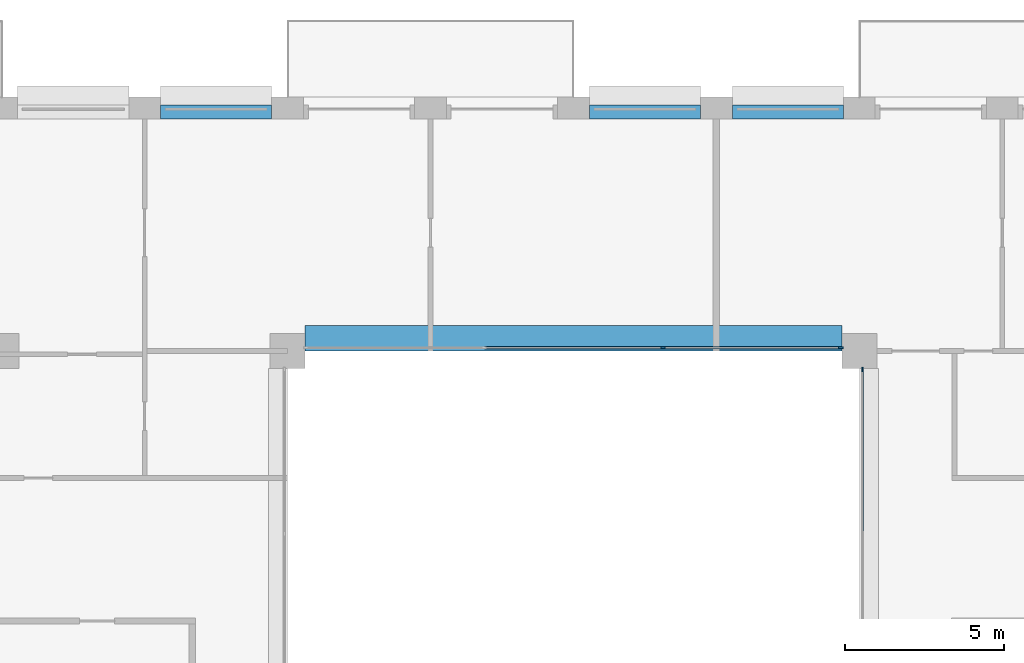
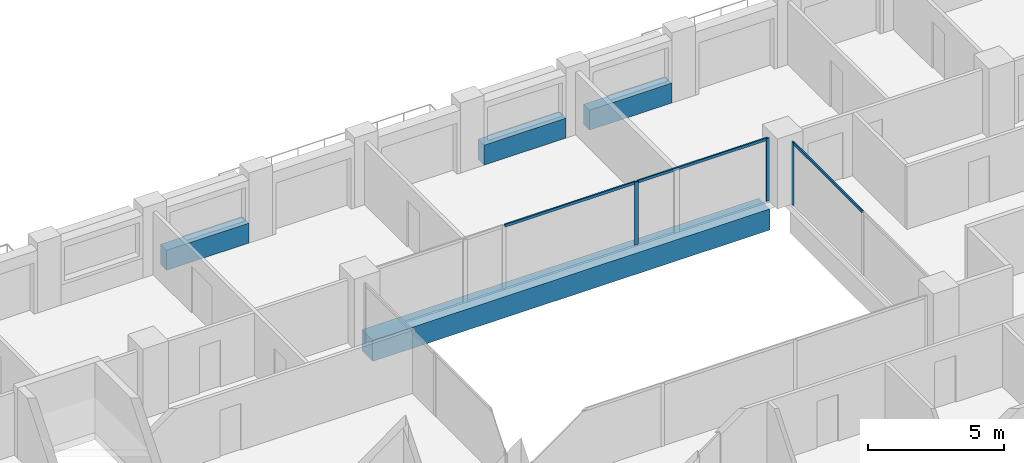
# One storey, part 6 of 15: 6 members, 4 beams, 2 elements without a shape of their own.
"""IFC4 building model written with IfcOpenShell, lengths in metres."""

import ifcopenshell
import ifcopenshell.guid

model = None  # the IFC model being written
_history = None  # IfcOwnerHistory: only IFC2X3 demands one
_inside = {}  # id of a spatial element -> (the spatial element, [elements in it])
_under = {}  # id of a project, library or spatial element -> (it, [spatial elements below it])
_declared = {}  # id of a project -> (the project, [libraries it declares])
_typed = {}  # id of a type object -> (the type object, [elements of that type])
_made_of = {}  # id of a material, layer set ... -> (it, [elements and type objects made of it])


def new_model(schema):
    """Start an empty IFC model of exactly this schema.

    Asked for "IFC4X3", IfcOpenShell would pick the latest addendum, in which some entities
    have other attributes; the version numbers below select the first issue.
    IFC2X3 requires an IfcOwnerHistory on every rooted entity: one is made here for all.
    """
    global model, _history
    if schema == "IFC4X3":
        model = ifcopenshell.file(schema_version=(4, 3, 0, 0))
    else:
        model = ifcopenshell.file(schema=schema)
    _inside.clear()
    _under.clear()
    _declared.clear()
    _typed.clear()
    _made_of.clear()
    _history = None
    if model.schema == "IFC2X3":
        org = make("IfcOrganization", Name="unknown")
        user = make(
            "IfcPersonAndOrganization",
            ThePerson=make("IfcPerson", FamilyName="unknown"),
            TheOrganization=org,
        )
        app = make(
            "IfcApplication",
            ApplicationDeveloper=org,
            Version="unknown",
            ApplicationFullName="unknown",
            ApplicationIdentifier="unknown",
        )
        _history = make(
            "IfcOwnerHistory",
            OwningUser=user,
            OwningApplication=app,
            ChangeAction="ADDED",
            CreationDate=0,
        )
    return model


def make(cls, **values):
    """One entity of the class cls with the attributes given. An attribute that is None is left unset."""
    return model.create_entity(
        cls, **{name: value for name, value in values.items() if value is not None}
    )


def rooted(cls, **values):
    """An entity with a GlobalId (a new one), such as an element, a storey or a relation."""
    return make(cls, GlobalId=ifcopenshell.guid.new(), OwnerHistory=_history, **values)


def si_unit(unit_type, name, prefix=None):
    """IfcSIUnit, for example si_unit("LENGTHUNIT", "METRE", prefix="MILLI")."""
    return make("IfcSIUnit", UnitType=unit_type, Prefix=prefix, Name=name)


def assignment(units):
    """IfcUnitAssignment: the units of a project."""
    return None if units is None else make("IfcUnitAssignment", Units=units)


def point(xyz):
    """IfcCartesianPoint."""
    return None if xyz is None else make("IfcCartesianPoint", Coordinates=xyz)


def direction(xyz):
    """IfcDirection."""
    return None if xyz is None else make("IfcDirection", DirectionRatios=xyz)


def frame(location, z_axis=None, x_axis=None):
    """IfcAxis2Placement3D, a coordinate frame: its origin and axes. An axis left out is left unset."""
    return make(
        "IfcAxis2Placement3D",
        Location=point(location),
        Axis=direction(z_axis),
        RefDirection=direction(x_axis),
    )


def frame_2d(location, x_axis=None):
    """IfcAxis2Placement2D, a coordinate frame in the plane: its origin and x axis."""
    return make(
        "IfcAxis2Placement2D", Location=point(location), RefDirection=direction(x_axis)
    )


def origin():
    """The frame at (0, 0, 0) with its axes left unset."""
    return frame((0.0, 0.0, 0.0))


def origin_2d():
    """The frame at (0, 0) in the plane with its x axis left unset."""
    return frame_2d((0.0, 0.0))


def place(relative_to, where):
    """IfcLocalPlacement: puts the frame where relative to a parent placement (None: the world)."""
    return make(
        "IfcLocalPlacement", PlacementRelTo=relative_to, RelativePlacement=where
    )


def context(
    kind, dimensions, precision=None, world=None, true_north=None, identifier=None
):
    """IfcGeometricRepresentationContext, for example the 3D "Model" context."""
    return make(
        "IfcGeometricRepresentationContext",
        ContextIdentifier=identifier,
        ContextType=kind,
        CoordinateSpaceDimension=dimensions,
        Precision=precision,
        WorldCoordinateSystem=world,
        TrueNorth=true_north,
    )


def subcontext(parent, identifier, kind, view, scale=None):
    """IfcGeometricRepresentationSubContext, for example "Body" below "Model"."""
    return make(
        "IfcGeometricRepresentationSubContext",
        ContextIdentifier=identifier,
        ContextType=kind,
        ParentContext=parent,
        TargetScale=scale,
        TargetView=view,
    )


def project(units=None, contexts=None):
    """IfcProject with its units and contexts."""
    return rooted(
        "IfcProject",
        Name="project",
        RepresentationContexts=contexts,
        UnitsInContext=assignment(units),
    )


def spatial(cls, under=None, at=None, **own):
    """A site, building, storey or space (cls), placed at a placement, below another one or the project."""
    s = rooted(cls, ObjectPlacement=at, **own)
    if under is not None:
        _under.setdefault(under.id(), (under, []))[1].append(s)
    return s


def profile(cls, at=None, kind="AREA", **sizes):
    """A parametric profile (cls). Its sizes go by their IFC names, for example OverallWidth=200.0."""
    return make(cls, ProfileType=kind, Position=at, **sizes)


def rectangle(**sizes):
    """IfcRectangleProfileDef."""
    return profile("IfcRectangleProfileDef", **sizes)


def extrude(swept, where, along, depth):
    """IfcExtrudedAreaSolid: the profile swept, set in the frame where, extruded along a direction by depth."""
    return make(
        "IfcExtrudedAreaSolid",
        SweptArea=swept,
        Position=where,
        ExtrudedDirection=direction(along),
        Depth=depth,
    )


def shape(context_of_items, identifier, shape_type, items):
    """IfcShapeRepresentation: the items that make up one representation, for example the "Body"."""
    return make(
        "IfcShapeRepresentation",
        ContextOfItems=context_of_items,
        RepresentationIdentifier=identifier,
        RepresentationType=shape_type,
        Items=items,
    )


def material(Name=None, Category=None):
    """IfcMaterial."""
    return make("IfcMaterial", Name=Name, Category=Category)


def layer(
    of_material, thickness, ventilated=None, Name=None, Category=None, Priority=None
):
    """IfcMaterialLayer: one layer of a wall or slab, of a material (None: an air gap)."""
    return make(
        "IfcMaterialLayer",
        Material=of_material,
        LayerThickness=thickness,
        IsVentilated=ventilated,
        Name=Name,
        Category=Category,
        Priority=Priority,
    )


def layer_set(layers, Name=None):
    """IfcMaterialLayerSet."""
    return make("IfcMaterialLayerSet", MaterialLayers=layers, LayerSetName=Name)


def material_profile(
    of_material, cross_section, Name=None, Category=None, Priority=None
):
    """IfcMaterialProfile: a cross section and its material."""
    return make(
        "IfcMaterialProfile",
        Name=Name,
        Material=of_material,
        Profile=cross_section,
        Priority=Priority,
        Category=Category,
    )


def profile_set(profiles, Name=None, composite=None):
    """IfcMaterialProfileSet."""
    return make(
        "IfcMaterialProfileSet",
        Name=Name,
        MaterialProfiles=profiles,
        CompositeProfile=composite,
    )


def made_of(thing, what):
    """Note that an element or type object is made of a material, layer set ...; save() writes the relation."""
    if what is not None:
        _made_of.setdefault(what.id(), (what, []))[1].append(thing)
    return thing


def type_object(cls, material=None, **own):
    """A type object (cls), such as IfcWallType, which elements share."""
    return made_of(rooted(cls, **own), material)


def element(
    cls,
    number,
    at=None,
    inside=None,
    cuts=None,
    type_object=None,
    material=None,
    context=None,
    identifier="Body",
    shape_type=None,
    held_by="IfcProductDefinitionShape",
    body=None,
    shapes=None,
    **own,
):
    """One element of the class cls, such as IfcWall. Its Tag is "e" and its number.

    at: its placement. inside: the storey or other place that contains it. cuts: it is an
    opening in that element (IfcRelVoidsElement). A single representation is given by context,
    identifier, shape_type and body (its items); several are given by shapes. held_by: the class
    of the entity that holds the representations. save() writes the other relations.
    """
    e = rooted(cls, Tag="e%d" % number, ObjectPlacement=at, **own)
    if body is not None:
        shapes = [shape(context, identifier, shape_type, body)]
    if shapes is not None:
        e.Representation = make(held_by, Representations=shapes)
    if inside is not None:
        _inside.setdefault(inside.id(), (inside, []))[1].append(e)
    if cuts is not None:
        rooted(
            "IfcRelVoidsElement", RelatingBuildingElement=cuts, RelatedOpeningElement=e
        )
    if type_object is not None:
        _typed.setdefault(type_object.id(), (type_object, []))[1].append(e)
    return made_of(e, material)


def aggregate(whole, parts):
    """IfcRelAggregates: a whole, such as a stair, and the parts it consists of."""
    return rooted("IfcRelAggregates", RelatingObject=whole, RelatedObjects=parts)


def save(model, path):
    """Write the relations noted so far, then the file.

    IfcRelAggregates (storeys below a building ...), IfcRelContainedInSpatialStructure (elements
    in a storey), IfcRelDefinesByType, IfcRelAssociatesMaterial and IfcRelDeclares: one each for
    every whole, place, type object, material and project.
    """
    for whole, parts in _under.values():
        aggregate(whole, parts)
    for where, things in _inside.values():
        rooted(
            "IfcRelContainedInSpatialStructure",
            RelatedElements=things,
            RelatingStructure=where,
        )
    for kind, things in _typed.values():
        rooted("IfcRelDefinesByType", RelatedObjects=things, RelatingType=kind)
    for what, things in _made_of.values():
        rooted("IfcRelAssociatesMaterial", RelatedObjects=things, RelatingMaterial=what)
    for by, libraries in _declared.values():
        rooted("IfcRelDeclares", RelatingContext=by, RelatedDefinitions=libraries)
    model.write(path)


model = new_model("IFC4")

# Units and contexts
model_context = context("Model", 3, precision=1e-05, world=origin(), true_north=direction((0.0, 1.0)))
body_context = subcontext(model_context, "Body", "Model", "MODEL_VIEW")
ifc_project = project(units=[si_unit("LENGTHUNIT", "METRE"), si_unit("AREAUNIT", "SQUARE_METRE"), si_unit("VOLUMEUNIT", "CUBIC_METRE"), si_unit("PLANEANGLEUNIT", "RADIAN"), si_unit("MASSUNIT", "GRAM", prefix="KILO")], contexts=[model_context])

# Site, building, storey
site_placement = place(None, origin())
site = spatial("IfcSite", under=ifc_project, at=site_placement, CompositionType="ELEMENT")
building_placement = place(site_placement, origin())
building = spatial("IfcBuilding", under=site, at=building_placement, Name="Brigalow Station Residences", CompositionType="ELEMENT")
storey_placement = place(building_placement, frame((0.0, 0.0, 153.89990234375)))
storey = spatial("IfcBuildingStorey", under=building, at=storey_placement, Name="L44", CompositionType="ELEMENT", Elevation=153.89990234375)

# Beam
ifc_material_1 = material(Name="Concrete C65", Category="concrete")
ifc_material_profile_1 = material_profile(ifc_material_1, rectangle(XDim=0.800048828125, YDim=0.949951171875, at=origin_2d()), Name="RC800x950")
ifc_profile_set_1 = profile_set([ifc_material_profile_1], Name="Concrete C65")
beam_type_1 = type_object("IfcBeamType", Name="ATRIUM EDGE GIRDER OVER 13.5 M SPAN 800x950 C65", PredefinedType="BEAM", material=ifc_profile_set_1)
beam_placement = place(storey_placement, frame((27.550048828125, 35.89990234375, -0.794921875), z_axis=(1.0, 0.0, 0.0), x_axis=(0.0, 1.0, 0.0)))
element("IfcBeam", 1, at=beam_placement, inside=storey, type_object=beam_type_1, Name="ATRIUM EDGE GIRDER D L44", PredefinedType="BEAM", context=body_context, shape_type="SweptSolid", body=[
    extrude(rectangle(XDim=0.800048828125, YDim=0.949951171875, at=origin_2d()), origin(), (0.0, 0.0, 1.0), 16.89990234375),
])

# Curtain wall, member
ifc_material_2 = material(Name="Aluminium", Category="aluminium")
ifc_layer = layer(ifc_material_2, 0.14990234375)
ifc_layer_set = layer_set([ifc_layer], Name="ATRIUM FIRE-RATED GLAZING CURTAIN WALL")
curtain_wall_type = type_object("IfcCurtainWallType", Name="ATRIUM FIRE-RATED GLAZING CURTAIN WALL", PredefinedType="NOTDEFINED", material=ifc_layer_set)
curtain_wall_1_placement = place(storey_placement, origin())
curtain_wall_1 = element("IfcCurtainWall", 2, at=curtain_wall_1_placement, inside=storey, type_object=curtain_wall_type, Name="L44/cw/atrium-E", PredefinedType="NOTDEFINED")
ifc_material_3 = material(Name="Aluminium", Category="aluminium")
ifc_material_profile_2 = material_profile(ifc_material_3, rectangle(XDim=0.06005859375, YDim=0.14990234375, at=origin_2d()), Name="ATRIUM FIRE-RATED GLAZING MULLION 60x150")
ifc_profile_set_2 = profile_set([ifc_material_profile_2], Name="Aluminium")
member_type_1 = type_object("IfcMemberType", Name="ATRIUM FIRE-RATED GLAZING MULLION 60x150", PredefinedType="MULLION", material=ifc_profile_set_2)
member_1_placement = place(storey_placement, frame((45.10009765625, 34.919921875, 0.0), z_axis=(0.0, 0.0, 1.0), x_axis=(-1.0, 0.0, 0.0)))
member_1 = element("IfcMember", 3, at=member_1_placement, type_object=member_type_1, Name="L44/cw/atrium-E/M02", PredefinedType="MULLION", context=body_context, shape_type="SweptSolid", body=[
    extrude(rectangle(XDim=0.06005859375, YDim=0.14990234375, at=origin_2d()), origin(), (0.0, 0.0, 1.0), 2.830078125),
])

# Curtain wall, members
curtain_wall_2_placement = place(storey_placement, origin())
curtain_wall_2 = element("IfcCurtainWall", 4, at=curtain_wall_2_placement, inside=storey, type_object=curtain_wall_type, Name="L44/cw/atrium-N", PredefinedType="NOTDEFINED")
member_2_placement = place(storey_placement, frame((44.419921875, 35.60009765625, 0.0), z_axis=(0.0, 0.0, 1.0), x_axis=(0.0, -1.0, 0.0)))
member_2 = element("IfcMember", 5, at=member_2_placement, type_object=member_type_1, Name="L44/cw/atrium-N/M00", PredefinedType="MULLION", context=body_context, shape_type="SweptSolid", body=[
    extrude(rectangle(XDim=0.06005859375, YDim=0.14990234375, at=origin_2d()), origin(), (0.0, 0.0, 1.0), 2.830078125),
])
member_3_placement = place(storey_placement, frame((38.816650390625, 35.60009765625, 0.0), z_axis=(0.0, 0.0, 1.0), x_axis=(0.0, -1.0, 0.0)))
member_3 = element("IfcMember", 6, at=member_3_placement, type_object=member_type_1, Name="L44/cw/atrium-N/M01", PredefinedType="MULLION", context=body_context, shape_type="SweptSolid", body=[
    extrude(rectangle(XDim=0.06005859375, YDim=0.14990234375, at=origin_2d()), origin(), (0.0, 0.0, 1.0), 2.830078125),
])

# Member
ifc_material_4 = material(Name="Aluminium", Category="aluminium")
ifc_material_profile_3 = material_profile(ifc_material_4, rectangle(XDim=0.06005859375, YDim=0.1201171875, at=origin_2d()), Name="ATRIUM FIRE-RATED GLAZING TRANSOM 60x120")
ifc_profile_set_3 = profile_set([ifc_material_profile_3], Name="Aluminium")
member_type_2 = type_object("IfcMemberType", Name="ATRIUM FIRE-RATED GLAZING TRANSOM 60x120", PredefinedType="USERDEFINED", material=ifc_profile_set_3)
member_4_placement = place(storey_placement, frame((45.10009765625, 29.780029296875, 2.800048828125), z_axis=(0.0, 1.0, 0.0), x_axis=(-1.0, 0.0, 0.0)))
member_4 = element("IfcMember", 7, at=member_4_placement, type_object=member_type_2, Name="L44/cw/atrium-E/T01-00", ObjectType="TRANSOM", PredefinedType="USERDEFINED", context=body_context, shape_type="SweptSolid", body=[
    extrude(rectangle(XDim=0.06005859375, YDim=0.1201171875, at=origin_2d()), origin(), (0.0, 0.0, 1.0), 5.10986328125),
])

aggregate(curtain_wall_1, [member_1, member_4])

member_5_placement = place(storey_placement, frame((44.389892578125, 35.60009765625, 2.800048828125), z_axis=(-1.0, 0.0, 0.0), x_axis=(0.0, -1.0, 0.0)))
member_5 = element("IfcMember", 8, at=member_5_placement, type_object=member_type_2, Name="L44/cw/atrium-N/T00-00", ObjectType="TRANSOM", PredefinedType="USERDEFINED", context=body_context, shape_type="SweptSolid", body=[
    extrude(rectangle(XDim=0.06005859375, YDim=0.1201171875, at=origin_2d()), origin(), (0.0, 0.0, 1.0), 5.543212890625),
])

member_6_placement = place(storey_placement, frame((38.78662109375, 35.60009765625, 2.800048828125), z_axis=(-1.0, 0.0, 0.0), x_axis=(0.0, -1.0, 0.0)))
member_6 = element("IfcMember", 9, at=member_6_placement, type_object=member_type_2, Name="L44/cw/atrium-N/T01-00", ObjectType="TRANSOM", PredefinedType="USERDEFINED", context=body_context, shape_type="SweptSolid", body=[
    extrude(rectangle(XDim=0.06005859375, YDim=0.1201171875, at=origin_2d()), origin(), (0.0, 0.0, 1.0), 5.5732421875),
])

aggregate(curtain_wall_2, [member_2, member_3, member_5, member_6])

# Beams
ifc_material_5 = material(Name="Concrete C50", Category="concrete")
ifc_material_profile_4 = material_profile(ifc_material_5, rectangle(XDim=0.449951171875, YDim=0.89990234375, at=origin_2d()), Name="RC450x900")
ifc_profile_set_4 = profile_set([ifc_material_profile_4], Name="Concrete C50")
beam_type_2 = type_object("IfcBeamType", Name="SPANDREL BEAM 450x900 C50", PredefinedType="SPANDREL", material=ifc_profile_set_4)
for number, where, z_axis, x_axis, name in (
    (10, (44.5, 43.02490234375, 0.4501953125), (-1.0, 0.0, 0.0), (0.0, -1.0, 0.0), "L44/spandrel/W-L44-27"),
    (11, (40.0, 43.02490234375, 0.4501953125), (-1.0, 0.0, 0.0), (0.0, -1.0, 0.0), "L44/spandrel/W-L44-28"),
    (12, (26.5, 43.02490234375, 0.4501953125), (-1.0, 0.0, 0.0), (0.0, -1.0, 0.0), "L44/spandrel/W-L44-31"),
):
    element("IfcBeam", number, at=place(storey_placement, frame(where, z_axis=z_axis, x_axis=x_axis)), inside=storey, type_object=beam_type_2, Name=name, PredefinedType="SPANDREL", context=body_context, shape_type="SweptSolid", body=[
        extrude(rectangle(XDim=0.449951171875, YDim=0.89990234375, at=origin_2d()), origin(), (0.0, 0.0, 1.0), 3.5),
    ])

save(model, "model.ifc")
